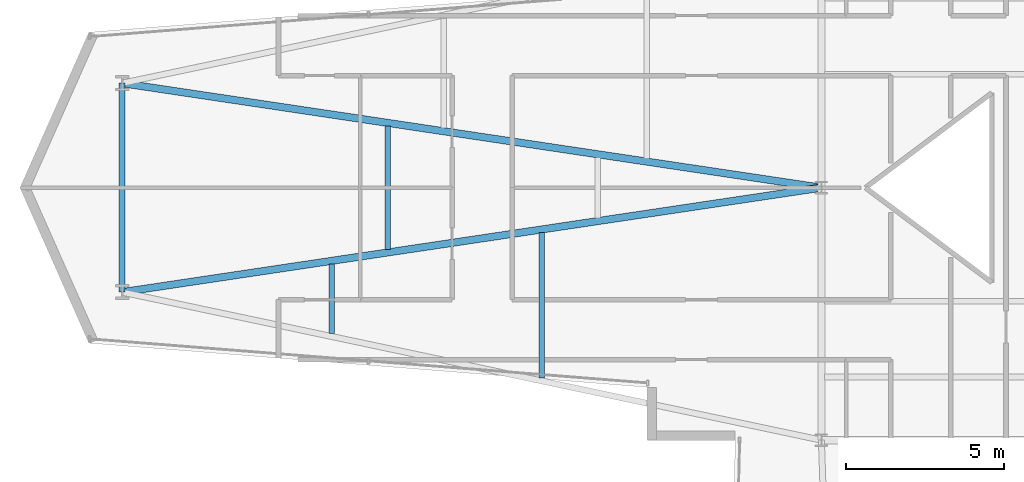
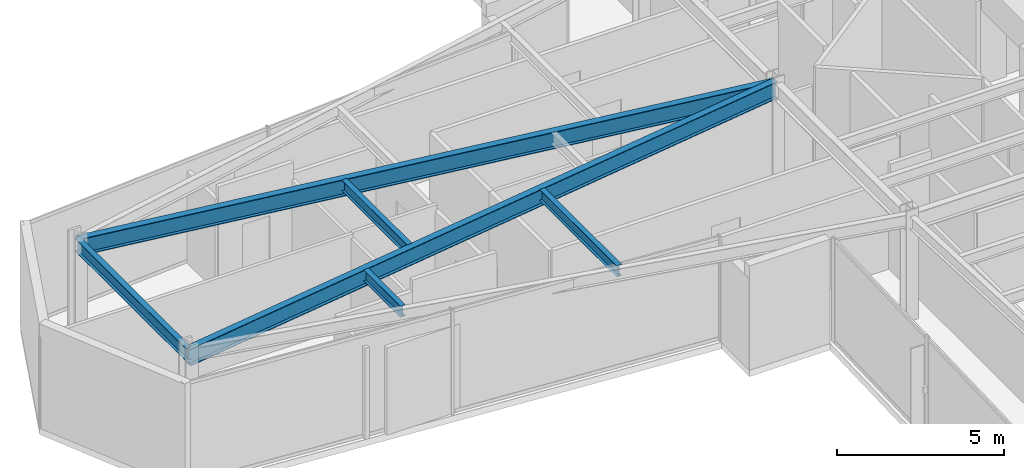
# One storey, part 6 of 25: 6 beams.
"""IFC4 building model written with IfcOpenShell, lengths in metres."""

from ifc_helpers import new_model, si_unit, direction, frame, origin, origin_2d, place, context, subcontext, project, spatial, i_section, extrude, material, material_profile, profile_set, type_object, element, save


model = new_model("IFC4")

# Units and contexts
model_context = context("Model", 3, precision=1e-05, world=origin(), true_north=direction((0.0, 1.0)))
body_context = subcontext(model_context, "Body", "Model", "MODEL_VIEW")
ifc_project = project(units=[si_unit("LENGTHUNIT", "METRE"), si_unit("AREAUNIT", "SQUARE_METRE"), si_unit("VOLUMEUNIT", "CUBIC_METRE"), si_unit("PLANEANGLEUNIT", "RADIAN"), si_unit("MASSUNIT", "GRAM", prefix="KILO")], contexts=[model_context])

# Site, building, storey
site_placement = place(None, origin())
site = spatial("IfcSite", under=ifc_project, at=site_placement, CompositionType="ELEMENT")
building_placement = place(site_placement, origin())
building = spatial("IfcBuilding", under=site, at=building_placement, Name="Veymaron Broadcast Tower", CompositionType="ELEMENT")
storey_placement = place(building_placement, frame((0.0, 0.0, 74.25)))
storey = spatial("IfcBuildingStorey", under=building, at=storey_placement, Name="L16", CompositionType="ELEMENT", Elevation=74.25)

# Beams
ifc_material = material(Name="Structural steel ASTM A992 Gr 50", Category="steel")
ifc_material_profile_1 = material_profile(ifc_material, i_section(OverallWidth=0.22998046875, OverallDepth=0.616943359375, WebThickness=0.01318359375, FlangeThickness=0.022216796875, at=origin_2d()), Name="W610X140")
ifc_profile_set_1 = profile_set([ifc_material_profile_1], Name="Structural steel ASTM A992 Gr 50")
beam_type_1 = type_object("IfcBeamType", Name="BM-FG1", PredefinedType="BEAM", material=ifc_profile_set_1)
for number, where, z_axis, x_axis, name in (
    (1, (9.0419921875, 20.68994140625, 3.50146484375), (0.989025456766, 0.147745205906, 0.0), (-0.147745205906, 0.989025456766, 0.0), "L16 primary structural floor girder"),
    (2, (9.0419921875, 27.31005859375, 3.50146484375), (0.989025456766, -0.147745205906, 0.0), (0.147745205906, 0.989025456766, 0.0), "L16 primary structural floor girder"),
):
    element("IfcBeam", number, at=place(storey_placement, frame(where, z_axis=z_axis, x_axis=x_axis)), inside=storey, type_object=beam_type_1, Name=name, PredefinedType="BEAM", context=body_context, shape_type="SweptSolid", body=[
        extrude(i_section(OverallWidth=0.22998046875, OverallDepth=0.616943359375, WebThickness=0.01318359375, FlangeThickness=0.022216796875, at=origin_2d()), origin(), (0.0, 0.0, 1.0), 22.40380859375),
    ])
ifc_material_profile_2 = material_profile(ifc_material, i_section(OverallWidth=0.177978515625, OverallDepth=0.406982421875, WebThickness=0.0078125, FlangeThickness=0.0126953125, at=origin_2d()), Name="W410X60")
ifc_profile_set_2 = profile_set([ifc_material_profile_2], Name="Structural steel ASTM A992 Gr 50")
beam_type_2 = type_object("IfcBeamType", Name="BM-JS1", PredefinedType="JOIST", material=ifc_profile_set_2)
beam_1_placement = place(storey_placement, frame((15.689453125, 19.383056640625, 3.6064453125), z_axis=(0.0, 1.0, 0.0), x_axis=(-1.0, 0.0, 0.0)))
element("IfcBeam", 3, at=beam_1_placement, inside=storey, type_object=beam_type_2, Name="L16 Arm-A secondary joist 1S", PredefinedType="JOIST", context=body_context, shape_type="SweptSolid", body=[
    extrude(i_section(OverallWidth=0.177978515625, OverallDepth=0.406982421875, WebThickness=0.0078125, FlangeThickness=0.0126953125, at=origin_2d()), origin(), (0.0, 0.0, 1.0), 2.199951171875),
])
beam_2_placement = place(storey_placement, frame((17.4619140625, 22.0478515625, 3.6064453125), z_axis=(0.0, 1.0, 0.0), x_axis=(-1.0, 0.0, 0.0)))
element("IfcBeam", 4, at=beam_2_placement, inside=storey, type_object=beam_type_2, Name="L16 Arm-A secondary joist 1M", PredefinedType="JOIST", context=body_context, shape_type="SweptSolid", body=[
    extrude(i_section(OverallWidth=0.177978515625, OverallDepth=0.406982421875, WebThickness=0.0078125, FlangeThickness=0.0126953125, at=origin_2d()), origin(), (0.0, 0.0, 1.0), 3.904296875),
])
beam_3_placement = place(storey_placement, frame((22.3369140625, 17.97607421875, 3.6064453125), z_axis=(0.0, 1.0, 0.0), x_axis=(-1.0, 0.0, 0.0)))
element("IfcBeam", 5, at=beam_3_placement, inside=storey, type_object=beam_type_2, Name="L16 Arm-A secondary joist 2S", PredefinedType="JOIST", context=body_context, shape_type="SweptSolid", body=[
    extrude(i_section(OverallWidth=0.177978515625, OverallDepth=0.406982421875, WebThickness=0.0078125, FlangeThickness=0.0126953125, at=origin_2d()), origin(), (0.0, 0.0, 1.0), 4.599853515625),
])
ifc_material_profile_3 = material_profile(ifc_material, i_section(OverallWidth=0.19091796875, OverallDepth=0.4599609375, WebThickness=0.010009765625, FlangeThickness=0.01611328125, at=origin_2d()), Name="W460X82")
ifc_profile_set_3 = profile_set([ifc_material_profile_3], Name="Structural steel ASTM A992 Gr 50")
beam_type_3 = type_object("IfcBeamType", Name="BM-SP1", PredefinedType="SPANDREL", material=ifc_profile_set_3)
beam_4_placement = place(storey_placement, frame((9.0419921875, 20.68994140625, 3.580078125), z_axis=(0.0, 1.0, 0.0), x_axis=(-1.0, 0.0, 0.0)))
element("IfcBeam", 6, at=beam_4_placement, inside=storey, type_object=beam_type_3, Name="L16 primary structural floor girder", PredefinedType="SPANDREL", context=body_context, shape_type="SweptSolid", body=[
    extrude(i_section(OverallWidth=0.19091796875, OverallDepth=0.4599609375, WebThickness=0.010009765625, FlangeThickness=0.01611328125, at=origin_2d()), origin(), (0.0, 0.0, 1.0), 6.6201171875),
])

save(model, "model.ifc")
